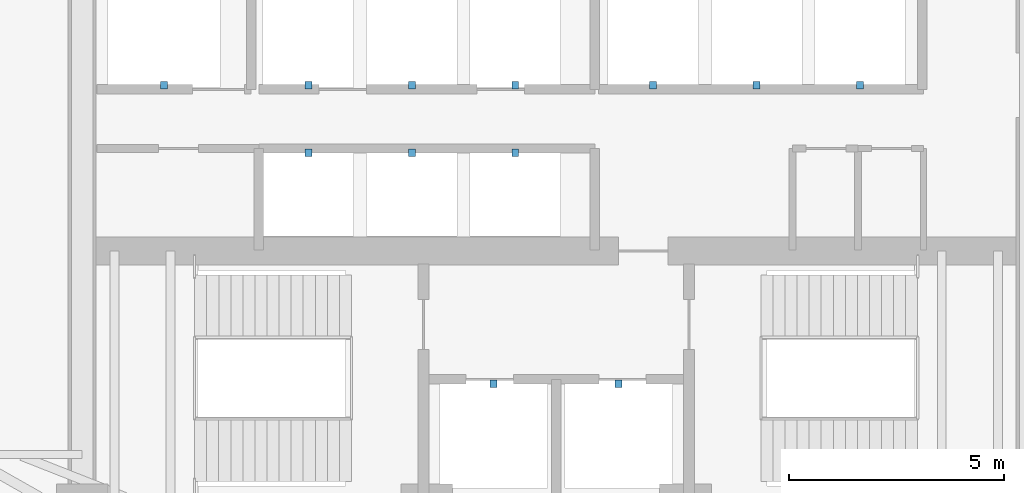
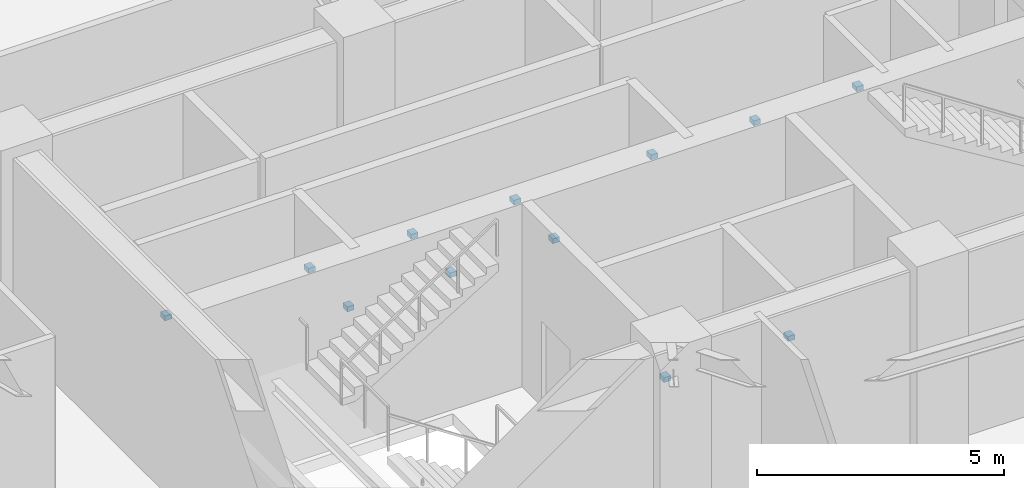
# One storey, part 33 of 40: 12 discrete accessories.
"""IFC4 building model written with IfcOpenShell, lengths in metres."""

from ifc_helpers import new_model, si_unit, direction, frame, origin, origin_2d, place, context, subcontext, project, spatial, rectangle, extrude, material, type_object, element, save


model = new_model("IFC4")

# Units and contexts
model_context = context("Model", 3, precision=1e-05, world=origin(), true_north=direction((0.0, 1.0)))
body_context = subcontext(model_context, "Body", "Model", "MODEL_VIEW")
ifc_project = project(units=[si_unit("LENGTHUNIT", "METRE"), si_unit("AREAUNIT", "SQUARE_METRE"), si_unit("VOLUMEUNIT", "CUBIC_METRE"), si_unit("PLANEANGLEUNIT", "RADIAN"), si_unit("MASSUNIT", "GRAM", prefix="KILO")], contexts=[model_context])

# Site, building, storey
site_placement = place(None, origin())
site = spatial("IfcSite", under=ifc_project, at=site_placement, CompositionType="ELEMENT")
building_placement = place(site_placement, origin())
building = spatial("IfcBuilding", under=site, at=building_placement, Name="Kazevale Care Tower and Concert Hall", CompositionType="ELEMENT")
storey_placement = place(building_placement, frame((0.0, 0.0, 4.800048828125)))
storey = spatial("IfcBuildingStorey", under=building, at=storey_placement, Name="L01", CompositionType="ELEMENT", Elevation=4.800048828125)

# Discrete accessories
ifc_material = material(Name="Stainless Steel 316", Category="steel")
discrete_accessory_type = type_object("IfcDiscreteAccessoryType", Name="Hoistway Guide-Rail Wall Bracket HBRK-1", PredefinedType="BRACKET", material=ifc_material)
for number, where, z_axis, x_axis, name in (
    (1, (31.550048828125, 26.52001953125, 1.239990234375), (0.0, 0.0, 1.0), (1.0, 0.0, 0.0), "hbrk:FFL-1:L01"),
    (2, (34.449951171875, 26.52001953125, 1.239990234375), (0.0, 0.0, 1.0), (1.0, 0.0, 0.0), "hbrk:FFL-2:L01"),
    (3, (23.89990234375, 33.449951171875, 1.239990234375), (0.0, 0.0, 1.0), (1.0, 0.0, 0.0), "hbrk:SVL-1:L01"),
    (4, (27.25, 33.449951171875, 1.239990234375), (0.0, 0.0, 1.0), (1.0, 0.0, 0.0), "hbrk:PL-1:L01"),
    (5, (29.64990234375, 33.449951171875, 1.239990234375), (0.0, 0.0, 1.0), (1.0, 0.0, 0.0), "hbrk:PL-2:L01"),
    (6, (32.050048828125, 33.449951171875, 1.239990234375), (0.0, 0.0, 1.0), (1.0, 0.0, 0.0), "hbrk:PL-3:L01"),
    (7, (35.25, 33.449951171875, 1.239990234375), (0.0, 0.0, 1.0), (1.0, 0.0, 0.0), "hbrk:PM-1:L01"),
    (8, (37.64990234375, 33.449951171875, 1.239990234375), (0.0, 0.0, 1.0), (1.0, 0.0, 0.0), "hbrk:PM-2:L01"),
    (9, (40.050048828125, 33.449951171875, 1.239990234375), (0.0, 0.0, 1.0), (1.0, 0.0, 0.0), "hbrk:PM-3:L01"),
    (10, (27.25, 31.8798828125, 1.239990234375), (0.0, 0.0, 1.0), (1.0, 0.0, 0.0), "hbrk:PH-1:L01"),
    (11, (29.64990234375, 31.8798828125, 1.239990234375), (0.0, 0.0, 1.0), (1.0, 0.0, 0.0), "hbrk:PH-2:L01"),
    (12, (32.050048828125, 31.8798828125, 1.239990234375), (0.0, 0.0, 1.0), (1.0, 0.0, 0.0), "hbrk:PH-3:L01"),
):
    element("IfcDiscreteAccessory", number, at=place(storey_placement, frame(where, z_axis=z_axis, x_axis=x_axis)), inside=storey, type_object=discrete_accessory_type, Name=name, PredefinedType="BRACKET", context=body_context, shape_type="SweptSolid", body=[
        extrude(rectangle(XDim=0.159912109375, YDim=0.179931640625, at=origin_2d()), origin(), (0.0, 0.0, 1.0), 0.1201171875),
    ])

save(model, "model.ifc")
